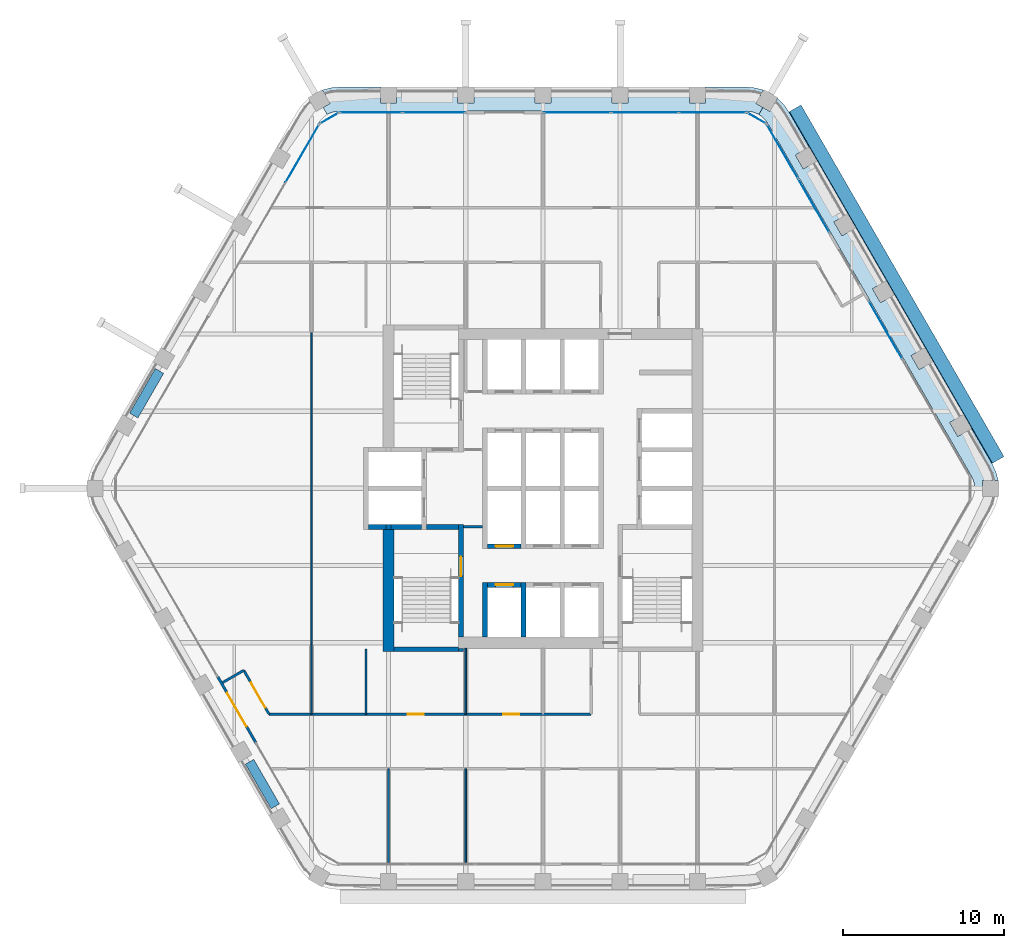
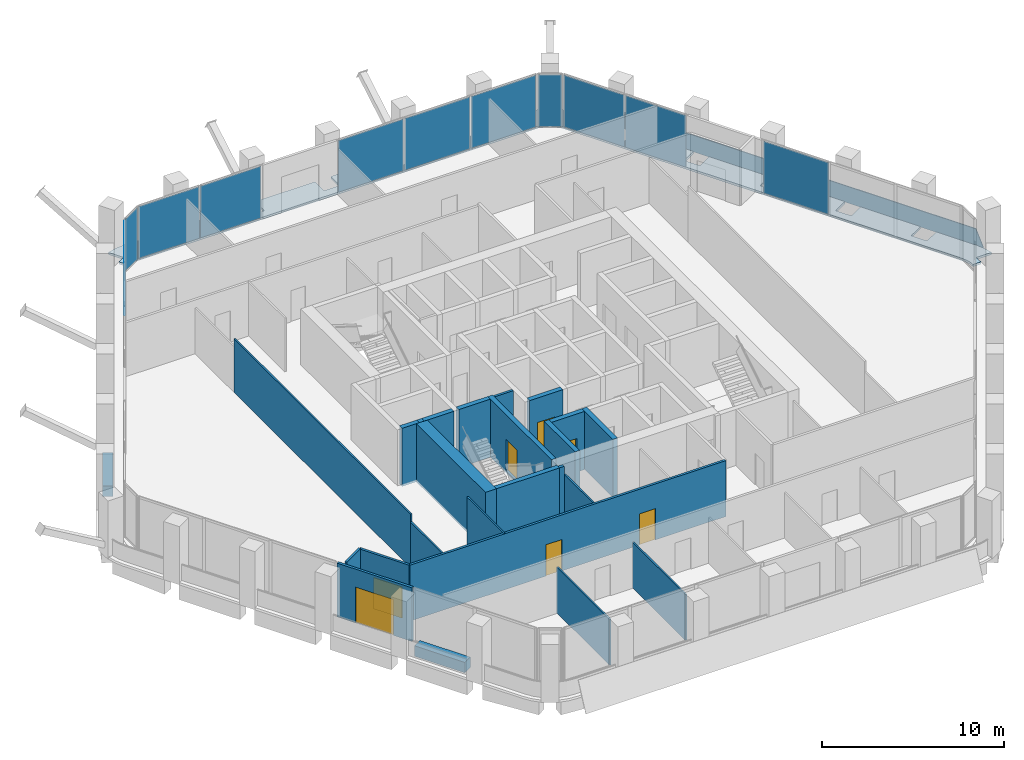
# One storey, part 9 of 16: 25 walls, 12 plates, 7 doors, 2 slabs, 7 openings, 7 elements without a shape of their own.
"""IFC4 building model written with IfcOpenShell, lengths in metres."""

from ifc_helpers import new_model, si_unit, direction, frame, frame_2d, origin, origin_2d, place, context, subcontext, project, spatial, polyline, rectangle, outline, extrude, material, layer, layer_set, type_object, element, fill, aggregate, save


model = new_model("IFC4")

# Units and contexts
model_context = context("Model", 3, precision=1e-05, world=origin(), true_north=direction((0.0, 1.0)))
body_context = subcontext(model_context, "Body", "Model", "MODEL_VIEW")
ifc_project = project(units=[si_unit("LENGTHUNIT", "METRE"), si_unit("AREAUNIT", "SQUARE_METRE"), si_unit("VOLUMEUNIT", "CUBIC_METRE"), si_unit("PLANEANGLEUNIT", "RADIAN"), si_unit("MASSUNIT", "GRAM", prefix="KILO")], contexts=[model_context])

# Site, building, storey
site_placement = place(None, origin())
site = spatial("IfcSite", under=ifc_project, at=site_placement, CompositionType="ELEMENT")
building_placement = place(site_placement, origin())
building = spatial("IfcBuilding", under=site, at=building_placement, Name="Kolab Exchange Tower", CompositionType="ELEMENT")
storey_placement = place(building_placement, frame((0.0, 0.0, 146.60009765625)))
storey = spatial("IfcBuildingStorey", under=building, at=storey_placement, Name="L29", CompositionType="ELEMENT", Elevation=146.60009765625)

# Slabs
ifc_material_1 = material(Name="Concrete C35/45", Category="concrete")
ifc_layer_1 = layer(ifc_material_1, 0.14990234375)
ifc_layer_set_1 = layer_set([ifc_layer_1], Name="Concrete C35/45")
slab_type = type_object("IfcSlabType", Name="LOGGIA SLAB 150", PredefinedType="FLOOR", material=ifc_layer_set_1)
slab_1_placement = place(storey_placement, frame((0.0, 0.0, -0.150146484375)))
element("IfcSlab", 1, at=slab_1_placement, inside=storey, type_object=slab_type, Name="slab/L29/loggia/0-0", PredefinedType="FLOOR", context=body_context, shape_type="SweptSolid", body=[
    extrude(outline(polyline([(13.41796875, 23.240478515625), (13.66796875, 23.673583984375), (13.23486328125, 23.923583984375), (13.713134765625, 24.751708984375), (13.694091796875, 24.760498046875), (13.18896484375, 24.89599609375), (12.66796875, 24.941650390625), (10.10009765625, 24.941650390625), (10.10009765625, 23.941650390625), (9.10009765625, 23.941650390625), (9.10009765625, 24.941650390625), (5.300048828125, 24.941650390625), (5.300048828125, 23.941650390625), (4.300048828125, 23.941650390625), (4.300048828125, 24.941650390625), (0.5, 24.941650390625), (0.5, 23.941650390625), (-0.5, 23.941650390625), (-0.5, 24.941650390625), (-4.300048828125, 24.941650390625), (-4.300048828125, 23.941650390625), (-5.300048828125, 23.941650390625), (-5.300048828125, 24.941650390625), (-9.10009765625, 24.941650390625), (-9.10009765625, 23.941650390625), (-10.10009765625, 23.941650390625), (-10.10009765625, 24.941650390625), (-12.66796875, 24.941650390625), (-13.18896484375, 24.89599609375), (-13.694091796875, 24.760498046875), (-13.713134765625, 24.751708984375), (-13.23486328125, 23.923583984375), (-13.66796875, 23.673583984375), (-13.41796875, 23.240478515625), (-13.180908203125, 23.35107421875), (-12.928466796875, 23.418701171875), (-12.66796875, 23.441650390625), (12.66796875, 23.441650390625), (12.928466796875, 23.418701171875), (13.180908203125, 23.35107421875), (13.41796875, 23.240478515625)])), origin(), (0.0, 0.0, 1.0), 0.150146484375),
])
slab_2_placement = place(storey_placement, frame((0.0, 0.0, -0.150146484375)))
element("IfcSlab", 2, at=slab_2_placement, inside=storey, type_object=slab_type, Name="slab/L29/loggia/1-0", PredefinedType="FLOOR", context=body_context, shape_type="SweptSolid", body=[
    extrude(outline(polyline([(26.8359375, 0.0), (27.3359375, 0.0), (27.3359375, 0.5), (28.292236328125, 0.5), (28.290283203125, 0.52099609375), (28.155029296875, 1.026123046875), (27.93408203125, 1.5), (26.64990234375, 3.723876953125), (25.783935546875, 3.223876953125), (25.283935546875, 4.08984375), (26.14990234375, 4.58984375), (24.25, 7.880859375), (23.384033203125, 7.380859375), (22.884033203125, 8.246826171875), (23.75, 8.746826171875), (21.85009765625, 12.037841796875), (20.98388671875, 11.537841796875), (20.48388671875, 12.40380859375), (21.35009765625, 12.90380859375), (19.449951171875, 16.194580078125), (18.583984375, 15.694580078125), (18.083984375, 16.560791015625), (18.949951171875, 17.060791015625), (17.050048828125, 20.3515625), (16.18408203125, 19.8515625), (15.68408203125, 20.717529296875), (16.550048828125, 21.217529296875), (15.26611328125, 23.441650390625), (14.966064453125, 23.869873046875), (14.59619140625, 24.23974609375), (14.5791015625, 24.251708984375), (14.10107421875, 23.423583984375), (13.66796875, 23.673583984375), (13.41796875, 23.240478515625), (13.632080078125, 23.090576171875), (13.81689453125, 22.90576171875), (13.967041015625, 22.691650390625), (26.635009765625, 0.75), (26.745361328125, 0.512939453125), (26.81298828125, 0.260498046875), (26.8359375, 0.0)])), origin(), (0.0, 0.0, 1.0), 0.150146484375),
])

# Plate
ifc_material_2 = material(Name="Laminated glass, clear", Category="glass")
ifc_layer_2 = layer(ifc_material_2, 0.0400390625)
ifc_layer_set_2 = layer_set([ifc_layer_2], Name="Laminated glass, clear")
plate_type_1 = type_object("IfcPlateType", Name="OUTER SKIN LAMINATED GLASS SHEET 40", PredefinedType="SHEET", material=ifc_layer_set_2)
plate_1_placement = place(storey_placement, frame((16.040283203125, 23.830810546875, -0.68310546875), z_axis=(0.784879402523, 0.453150748855, 0.422633082363), x_axis=(0.49999996891, -0.866025421734, 9.26397e-07)))
element("IfcPlate", 3, at=plate_1_placement, inside=storey, type_object=plate_type_1, Name="Outer skin", PredefinedType="SHEET", context=body_context, shape_type="SweptSolid", body=[
    extrude(outline(polyline([(0.0, 0.0), (25.235928246078725, 0.0), (25.235843279343584, -1.9610710072384856), (0.00012646525258926716, -1.9611225980101972), (0.0, 0.0)])), origin(), (0.0, 0.0, -1.0), 0.0400390625),
])

# Curtain wall, plates
ifc_material_3 = material(Name="Aluminium EN AW-6063 T6", Category="aluminium")
curtain_wall_type = type_object("IfcCurtainWallType", Name="UNITISED UPPER MID ZONE CURTAIN WALL", PredefinedType="NOTDEFINED", material=ifc_material_3)
curtain_wall_1_placement = place(storey_placement, origin())
curtain_wall_1 = element("IfcCurtainWall", 4, at=curtain_wall_1_placement, inside=storey, type_object=curtain_wall_type, Name="cw/L29/F1-1", PredefinedType="NOTDEFINED")
ifc_material_4 = material(Name="Clear insulated glazing unit", Category="glass")
ifc_layer_3 = layer(ifc_material_4, 0.028076171875)
ifc_layer_set_3 = layer_set([ifc_layer_3], Name="Clear insulated glazing unit")
plate_type_2 = type_object("IfcPlateType", Name="UNITISED UPPER MID ZONE GLASS PANEL 28", PredefinedType="CURTAIN_PANEL", material=ifc_layer_set_3)
plate_2_placement = place(storey_placement, frame((-10.68603515625, 23.361572265625, 0.059814453125), z_axis=(0.0, 0.0, 1.0), x_axis=(1.0, 0.0, 0.0)))
plate_2 = element("IfcPlate", 5, at=plate_2_placement, type_object=plate_type_2, Name="CW3 panel 1.1", PredefinedType="CURTAIN_PANEL", context=body_context, shape_type="SweptSolid", body=[
    extrude(rectangle(XDim=3.843994140625, YDim=0.028076171875, at=origin_2d()), origin(), (0.0, 0.0, 1.0), 3.47998046875),
])
plate_3_placement = place(storey_placement, frame((-6.781982421875, 23.361572265625, 0.059814453125), z_axis=(0.0, 0.0, 1.0), x_axis=(1.0, 0.0, 0.0)))
plate_3 = element("IfcPlate", 6, at=plate_3_placement, type_object=plate_type_2, Name="CW3 panel 2.1", PredefinedType="CURTAIN_PANEL", context=body_context, shape_type="SweptSolid", body=[
    extrude(rectangle(XDim=3.843994140625, YDim=0.028076171875, at=origin_2d()), origin(), (0.0, 0.0, 1.0), 3.47998046875),
])
aggregate(curtain_wall_1, [plate_2, plate_3])

curtain_wall_2_placement = place(storey_placement, origin())
curtain_wall_2 = element("IfcCurtainWall", 7, at=curtain_wall_2_placement, inside=storey, type_object=curtain_wall_type, Name="cw/L29/F1-2", PredefinedType="NOTDEFINED")
plate_4_placement = place(storey_placement, frame((2.126220703125, 23.361572265625, 0.059814453125), z_axis=(0.0, 0.0, 1.0), x_axis=(1.0, 0.0, 0.0)))
plate_4 = element("IfcPlate", 8, at=plate_4_placement, type_object=plate_type_2, Name="CW3 panel 1.1", PredefinedType="CURTAIN_PANEL", context=body_context, shape_type="SweptSolid", body=[
    extrude(rectangle(XDim=4.132568359375, YDim=0.028076171875, at=origin_2d()), origin(), (0.0, 0.0, 1.0), 3.47998046875),
])
plate_5_placement = place(storey_placement, frame((6.333984375, 23.361572265625, 0.059814453125), z_axis=(0.0, 0.0, 1.0), x_axis=(1.0, 0.0, 0.0)))
plate_5 = element("IfcPlate", 9, at=plate_5_placement, type_object=plate_type_2, Name="CW3 panel 2.1", PredefinedType="CURTAIN_PANEL", context=body_context, shape_type="SweptSolid", body=[
    extrude(rectangle(XDim=4.16259765625, YDim=0.028076171875, at=origin_2d()), origin(), (0.0, 0.0, 1.0), 3.47998046875),
])
plate_6_placement = place(storey_placement, frame((10.54150390625, 23.361572265625, 0.059814453125), z_axis=(0.0, 0.0, 1.0), x_axis=(1.0, 0.0, 0.0)))
plate_6 = element("IfcPlate", 10, at=plate_6_placement, type_object=plate_type_2, Name="CW3 panel 3.1", PredefinedType="CURTAIN_PANEL", context=body_context, shape_type="SweptSolid", body=[
    extrude(rectangle(XDim=4.132568359375, YDim=0.028076171875, at=origin_2d()), origin(), (0.0, 0.0, 1.0), 3.47998046875),
])
aggregate(curtain_wall_2, [plate_4, plate_5, plate_6])

curtain_wall_3_placement = place(storey_placement, origin())
curtain_wall_3 = element("IfcCurtainWall", 11, at=curtain_wall_3_placement, inside=storey, type_object=curtain_wall_type, Name="cw/L29/F2-1", PredefinedType="NOTDEFINED")
plate_7_placement = place(storey_placement, frame((14.888671875, 20.93505859375, 0.059814453125), z_axis=(0.0, 0.0, 1.0), x_axis=(0.500000031681, -0.866025385493, 0.0)))
plate_7 = element("IfcPlate", 12, at=plate_7_placement, type_object=plate_type_2, Name="CW3 panel 1.1", PredefinedType="CURTAIN_PANEL", context=body_context, shape_type="SweptSolid", body=[
    extrude(rectangle(XDim=3.843994140625, YDim=0.028076171875, at=origin_2d()), origin(), (0.0, 0.0, 1.0), 3.47998046875),
])
plate_8_placement = place(storey_placement, frame((16.840576171875, 17.55419921875, 0.059814453125), z_axis=(0.0, 0.0, 1.0), x_axis=(0.500000031681, -0.866025385493, 0.0)))
plate_8 = element("IfcPlate", 13, at=plate_8_placement, type_object=plate_type_2, Name="CW3 panel 2.1", PredefinedType="CURTAIN_PANEL", context=body_context, shape_type="SweptSolid", body=[
    extrude(rectangle(XDim=3.843994140625, YDim=0.028076171875, at=origin_2d()), origin(), (0.0, 0.0, 1.0), 3.47998046875),
])
aggregate(curtain_wall_3, [plate_7, plate_8])

# Curtain wall, plate
curtain_wall_4_placement = place(storey_placement, origin())
curtain_wall_4 = element("IfcCurtainWall", 14, at=curtain_wall_4_placement, inside=storey, type_object=curtain_wall_type, Name="cw/L29/F2-2", PredefinedType="NOTDEFINED")
plate_9_placement = place(storey_placement, frame((21.294921875, 9.83935546875, 0.059814453125), z_axis=(0.0, 0.0, 1.0), x_axis=(0.499999958358, -0.866025427826, 0.0)))
plate_9 = element("IfcPlate", 15, at=plate_9_placement, type_object=plate_type_2, Name="CW3 panel 1.1", PredefinedType="CURTAIN_PANEL", context=body_context, shape_type="SweptSolid", body=[
    extrude(rectangle(XDim=4.132568359375, YDim=0.028076171875, at=origin_2d()), origin(), (0.0, 0.0, 1.0), 3.47998046875),
])
aggregate(curtain_wall_4, [plate_9])

curtain_wall_5_placement = place(storey_placement, origin())
curtain_wall_5 = element("IfcCurtainWall", 16, at=curtain_wall_5_placement, inside=storey, type_object=curtain_wall_type, Name="cw/L29/F6-2", PredefinedType="NOTDEFINED")
plate_10_placement = place(storey_placement, frame((-14.9609375, 20.81005859375, 0.059814453125), z_axis=(0.0, 0.0, 1.0), x_axis=(0.500000017564, 0.866025393644, 0.0)))
plate_10 = element("IfcPlate", 17, at=plate_10_placement, type_object=plate_type_2, Name="CW3 panel 3.1", PredefinedType="CURTAIN_PANEL", context=body_context, shape_type="SweptSolid", body=[
    extrude(rectangle(XDim=4.132568359375, YDim=0.028076171875, at=origin_2d()), origin(), (0.0, 0.0, 1.0), 3.47998046875),
])
aggregate(curtain_wall_5, [plate_10])

curtain_wall_6_placement = place(storey_placement, origin())
curtain_wall_6 = element("IfcCurtainWall", 18, at=curtain_wall_6_placement, inside=storey, type_object=curtain_wall_type, Name="cw/L29/F1F2-corner", PredefinedType="NOTDEFINED")
plate_11_placement = place(storey_placement, frame((13.28271484375, 23.006591796875, 0.059814453125), z_axis=(0.0, 0.0, 1.0), x_axis=(0.866025390869, -0.50000002237, 0.0)))
plate_11 = element("IfcPlate", 19, at=plate_11_placement, type_object=plate_type_2, Name="CW3 panel 1.1", PredefinedType="CURTAIN_PANEL", context=body_context, shape_type="SweptSolid", body=[
    extrude(rectangle(XDim=1.300048828125, YDim=0.028076171875, at=origin_2d()), origin(), (0.0, 0.0, 1.0), 3.47998046875),
])
aggregate(curtain_wall_6, [plate_11])

curtain_wall_7_placement = place(storey_placement, origin())
curtain_wall_7 = element("IfcCurtainWall", 20, at=curtain_wall_7_placement, inside=storey, type_object=curtain_wall_type, Name="cw/L29/F6F1-corner", PredefinedType="NOTDEFINED")
plate_12_placement = place(storey_placement, frame((-13.28271484375, 23.006591796875, 0.059814453125), z_axis=(0.0, 0.0, 1.0), x_axis=(0.866025390869, 0.50000002237, 0.0)))
plate_12 = element("IfcPlate", 21, at=plate_12_placement, type_object=plate_type_2, Name="CW3 panel 1.1", PredefinedType="CURTAIN_PANEL", context=body_context, shape_type="SweptSolid", body=[
    extrude(rectangle(XDim=1.300048828125, YDim=0.028076171875, at=origin_2d()), origin(), (0.0, 0.0, 1.0), 3.47998046875),
])
aggregate(curtain_wall_7, [plate_12])

# Wall
ifc_material_5 = material(Name="Concrete C60/75", Category="concrete")
ifc_layer_4 = layer(ifc_material_5, 0.699951171875)
ifc_layer_set_4 = layer_set([ifc_layer_4], Name="Concrete C60/75")
wall_type_1 = type_object("IfcWallType", Name="CORE WALL 700 C60/75", PredefinedType="SHEAR", material=ifc_layer_set_4)
wall_1_placement = place(storey_placement, frame((-9.60009765625, -10.14990234375, -0.150146484375), z_axis=(0.0, 0.0, 1.0), x_axis=(0.0, 1.0, 0.0)))
element("IfcWall", 22, at=wall_1_placement, inside=storey, type_object=wall_type_1, Name="wall/L29/core/034", PredefinedType="SHEAR", context=body_context, shape_type="SweptSolid", body=[
    extrude(rectangle(XDim=7.599853515625, YDim=0.699951171875, at=frame_2d((3.7998046875, 0.0))), origin(), (0.0, 0.0, 1.0), 3.900146484375),
])

# Wall, opening, door
ifc_layer_5 = layer(ifc_material_3, 0.159912109375)
ifc_layer_set_5 = layer_set([ifc_layer_5], Name="Aluminium EN AW-6063 T6")
wall_type_2 = type_object("IfcWallType", Name="DOOR SURROUND WALL 160 ALUMINIUM FRAMED", PredefinedType="PARTITIONING", material=ifc_layer_set_5)
wall_2_placement = place(storey_placement, frame((-17.8466796875, -15.811767578125, 0.0), z_axis=(0.0, 0.0, 1.0), x_axis=(-0.5000167099, 0.866015756104, 0.0)))
wall_2 = element("IfcWall", 23, at=wall_2_placement, inside=storey, type_object=wall_type_2, Name="Door surround wall", PredefinedType="PARTITIONING", context=body_context, shape_type="SweptSolid", body=[
    extrude(rectangle(XDim=4.739990234375, YDim=0.159912109375, at=frame_2d((2.3701171875, 0.0))), origin(), (0.0, 0.0, 1.0), 3.599853515625),
])
opening_1_placement = place(wall_2_placement, frame((1.169921875, 0.0, 0.0)))
opening_1 = element("IfcOpeningElement", 24, at=opening_1_placement, cuts=wall_2, Name="Opening GD1-074", PredefinedType="OPENING", context=body_context, shape_type="SweptSolid", body=[
    extrude(rectangle(XDim=2.39990234375, YDim=2.39990234375, at=frame_2d((1.199951171875, 1.199951171875))), frame((0.0, 0.08984375, 0.0), z_axis=(0.0, -1.0, 0.0), x_axis=(1.0, 0.0, 0.0)), (0.0, 0.0, 1.0), 0.179931640625),
])
door_type_1 = type_object("IfcDoorType", Name="LOGGIA SLIDING GLASS DOOR 2400 X 2400", OperationType="DOUBLE_DOOR_SINGLE_SWING", PredefinedType="DOOR", material=ifc_material_3)
door_1_placement = place(opening_1_placement, origin())
door_1 = element("IfcDoor", 25, at=door_1_placement, inside=storey, type_object=door_type_1, Name="Loggia door", OperationType="DOUBLE_DOOR_SLIDING", OverallHeight=2.39990234375, OverallWidth=2.39990234375, PredefinedType="DOOR", context=body_context, shape_type="SweptSolid", body=[
    extrude(rectangle(XDim=2.39990234375, YDim=2.39990234375, at=frame_2d((1.199951171875, 1.199951171875))), frame((0.0, 0.02490234375, 0.0), z_axis=(0.0, -1.0, 0.0), x_axis=(1.0, 0.0, 0.0)), (0.0, 0.0, 1.0), 0.050048828125),
])
fill(opening_1, door_1)

ifc_material_6 = material(Name="Concrete C50/60", Category="concrete")
ifc_layer_6 = layer(ifc_material_6, 0.300048828125)
ifc_layer_set_6 = layer_set([ifc_layer_6], Name="Concrete C50/60")
wall_type_3 = type_object("IfcWallType", Name="LIFT SHAFT WALL 300 C50/60", PredefinedType="STANDARD", material=ifc_layer_set_6)
wall_3_placement = place(storey_placement, frame((-3.449951171875, -6.0, -0.150146484375), z_axis=(0.0, 0.0, 1.0), x_axis=(1.0, 0.0, 0.0)))
wall_3 = element("IfcWall", 26, at=wall_3_placement, inside=storey, type_object=wall_type_3, Name="wall/L29/core/003", PredefinedType="STANDARD", context=body_context, shape_type="SweptSolid", body=[
    extrude(rectangle(XDim=2.099853515625, YDim=0.300048828125, at=frame_2d((1.0498046875, 0.0))), origin(), (0.0, 0.0, 1.0), 3.900146484375),
])
opening_2_placement = place(wall_3_placement, frame((0.5, 0.0, 0.14990234375)))
opening_2 = element("IfcOpeningElement", 27, at=opening_2_placement, cuts=wall_3, Name="Opening LD1-110", PredefinedType="OPENING", context=body_context, shape_type="SweptSolid", body=[
    extrude(rectangle(XDim=1.10009765625, YDim=2.10009765625, at=frame_2d((0.550048828125, 1.050048828125))), frame((0.0, 0.16015625, 0.0), z_axis=(0.0, -1.0, 0.0), x_axis=(1.0, 0.0, 0.0)), (0.0, 0.0, 1.0), 0.320068359375),
])
ifc_material_7 = material(Name="Stainless steel 316", Category="steel")
door_type_2 = type_object("IfcDoorType", Name="LANDING DOOR 1100 PASSENGER", OperationType="DOUBLE_DOOR_SLIDING", PredefinedType="DOOR", material=ifc_material_7)
door_2_placement = place(opening_2_placement, origin())
door_2 = element("IfcDoor", 28, at=door_2_placement, inside=storey, type_object=door_type_2, Name="Landing door HR10", OperationType="DOUBLE_DOOR_SLIDING", OverallHeight=2.10009765625, OverallWidth=1.10009765625, PredefinedType="DOOR", context=body_context, shape_type="SweptSolid", body=[
    extrude(rectangle(XDim=1.10009765625, YDim=2.10009765625, at=frame_2d((0.550048828125, 1.050048828125))), frame((0.0, 0.02490234375, 0.0), z_axis=(0.0, -1.0, 0.0), x_axis=(1.0, 0.0, 0.0)), (0.0, 0.0, 1.0), 0.050048828125),
])
fill(opening_2, door_2)

wall_4_placement = place(storey_placement, frame((-3.449951171875, -3.60009765625, -0.150146484375), z_axis=(0.0, 0.0, 1.0), x_axis=(1.0, 0.0, 0.0)))
wall_4 = element("IfcWall", 29, at=wall_4_placement, inside=storey, type_object=wall_type_3, Name="wall/L29/core/006", PredefinedType="STANDARD", context=body_context, shape_type="SweptSolid", body=[
    extrude(rectangle(XDim=2.099853515625, YDim=0.300048828125, at=frame_2d((1.0498046875, 0.0))), origin(), (0.0, 0.0, 1.0), 3.900146484375),
])
opening_3_placement = place(wall_4_placement, frame((0.5, 0.0, 0.14990234375)))
opening_3 = element("IfcOpeningElement", 30, at=opening_3_placement, cuts=wall_4, Name="Opening LD1-118", PredefinedType="OPENING", context=body_context, shape_type="SweptSolid", body=[
    extrude(rectangle(XDim=1.10009765625, YDim=2.10009765625, at=frame_2d((0.550048828125, 1.050048828125))), frame((0.0, 0.16015625, 0.0), z_axis=(0.0, -1.0, 0.0), x_axis=(1.0, 0.0, 0.0)), (0.0, 0.0, 1.0), 0.320068359375),
])
door_3_placement = place(opening_3_placement, origin())
door_3 = element("IfcDoor", 31, at=door_3_placement, inside=storey, type_object=door_type_2, Name="Landing door HR7", OperationType="DOUBLE_DOOR_SLIDING", OverallHeight=2.10009765625, OverallWidth=1.10009765625, PredefinedType="DOOR", context=body_context, shape_type="SweptSolid", body=[
    extrude(rectangle(XDim=1.10009765625, YDim=2.10009765625, at=frame_2d((0.550048828125, 1.050048828125))), frame((0.0, 0.02490234375, 0.0), z_axis=(0.0, -1.0, 0.0), x_axis=(1.0, 0.0, 0.0)), (0.0, 0.0, 1.0), 0.050048828125),
])
fill(opening_3, door_3)

# Walls
wall_5_placement = place(storey_placement, frame((-10.85009765625, -2.39990234375, -0.150146484375), z_axis=(0.0, 0.0, 1.0), x_axis=(1.0, 0.0, 0.0)))
element("IfcWall", 32, at=wall_5_placement, inside=storey, type_object=wall_type_3, Name="wall/L29/core/009", PredefinedType="STANDARD", context=body_context, shape_type="SweptSolid", body=[
    extrude(rectangle(XDim=1.10009765625, YDim=0.300048828125, at=frame_2d((0.550048828125, 0.0))), origin(), (0.0, 0.0, 1.0), 3.900146484375),
])
for number, where, z_axis, x_axis, name in (
    (33, (-3.60009765625, -9.25, -0.150146484375), (0.0, 0.0, 1.0), (0.0, 1.0, 0.0), "wall/L29/core/043"),
    (34, (-1.199951171875, -9.25, -0.150146484375), (0.0, 0.0, 1.0), (0.0, 1.0, 0.0), "wall/L29/core/046"),
):
    element("IfcWall", number, at=place(storey_placement, frame(where, z_axis=z_axis, x_axis=x_axis)), inside=storey, type_object=wall_type_3, Name=name, PredefinedType="STANDARD", context=body_context, shape_type="SweptSolid", body=[
        extrude(rectangle(XDim=3.39990234375, YDim=0.300048828125, at=frame_2d((1.699951171875, 0.0))), origin(), (0.0, 0.0, 1.0), 3.900146484375),
    ])
ifc_material_8 = material(Name="Gypsum board", Category="gypsum")
ifc_layer_7 = layer(ifc_material_8, 0.10009765625)
ifc_layer_set_7 = layer_set([ifc_layer_7], Name="Gypsum board")
wall_type_4 = type_object("IfcWallType", Name="PARTITION 100", PredefinedType="PARTITIONING", material=ifc_layer_set_7)
wall_6_placement = place(storey_placement, frame((-4.800048828125, -23.271484375, 0.0), z_axis=(0.0, 0.0, 1.0), x_axis=(0.0, 1.0, 0.0)))
element("IfcWall", 35, at=wall_6_placement, inside=storey, type_object=wall_type_4, Name="Partition 014", PredefinedType="PARTITIONING", context=body_context, shape_type="SweptSolid", body=[
    extrude(rectangle(XDim=5.830078125, YDim=0.10009765625, at=frame_2d((2.9150390625, 0.0))), origin(), (0.0, 0.0, 1.0), 3.06591796875),
])
wall_7_placement = place(storey_placement, frame((-4.800048828125, -14.04150390625, 0.0), z_axis=(0.0, 0.0, 1.0), x_axis=(0.0, 1.0, 0.0)))
element("IfcWall", 36, at=wall_7_placement, inside=storey, type_object=wall_type_4, Name="Partition 015", PredefinedType="PARTITIONING", context=body_context, shape_type="SweptSolid", body=[
    extrude(rectangle(XDim=4.091552734375, YDim=0.10009765625, at=frame_2d((2.0458984375, 0.0))), origin(), (0.0, 0.0, 1.0), 3.06591796875),
])
wall_8_placement = place(storey_placement, frame((-9.60009765625, -23.271484375, 0.0), z_axis=(0.0, 0.0, 1.0), x_axis=(0.0, 1.0, 0.0)))
element("IfcWall", 37, at=wall_8_placement, inside=storey, type_object=wall_type_4, Name="Partition 018", PredefinedType="PARTITIONING", context=body_context, shape_type="SweptSolid", body=[
    extrude(rectangle(XDim=5.830078125, YDim=0.10009765625, at=frame_2d((2.9150390625, 0.0))), origin(), (0.0, 0.0, 1.0), 3.06591796875),
])
wall_9_placement = place(storey_placement, frame((-11.0, -14.04150390625, 0.0), z_axis=(0.0, 0.0, 1.0), x_axis=(0.0, 1.0, 0.0)))
element("IfcWall", 38, at=wall_9_placement, inside=storey, type_object=wall_type_4, Name="Partition 020", PredefinedType="PARTITIONING", context=body_context, shape_type="SweptSolid", body=[
    extrude(rectangle(XDim=4.04150390625, YDim=0.10009765625, at=frame_2d((2.020751953125, 0.0))), origin(), (0.0, 0.0, 1.0), 3.75),
])
wall_10_placement = place(storey_placement, frame((-14.39990234375, -9.693603515625, 0.0), z_axis=(0.0, 0.0, 1.0), x_axis=(0.0, 1.0, 0.0)))
element("IfcWall", 39, at=wall_10_placement, inside=storey, type_object=wall_type_4, Name="Partition 022", PredefinedType="PARTITIONING", context=body_context, shape_type="SweptSolid", body=[
    extrude(rectangle(XDim=19.38720703125, YDim=0.10009765625, at=frame_2d((9.693603515625, 0.0))), origin(), (0.0, 0.0, 1.0), 3.599853515625),
])
wall_11_placement = place(storey_placement, frame((-14.39990234375, -14.04150390625, 0.0), z_axis=(0.0, 0.0, 1.0), x_axis=(0.0, 1.0, 0.0)))
element("IfcWall", 40, at=wall_11_placement, inside=storey, type_object=wall_type_4, Name="Partition 022", PredefinedType="PARTITIONING", context=body_context, shape_type="SweptSolid", body=[
    extrude(rectangle(XDim=4.347900390625, YDim=0.10009765625, at=frame_2d((2.173828125, 0.0))), origin(), (0.0, 0.0, 1.0), 3.06591796875),
])

# Wall, opening, door
ifc_layer_8 = layer(ifc_material_8, 0.14990234375)
ifc_layer_set_8 = layer_set([ifc_layer_8], Name="Gypsum board")
wall_type_5 = type_object("IfcWallType", Name="PARTITION 150 FIRE-RATED", PredefinedType="PARTITIONING", material=ifc_layer_set_8)
wall_12_placement = place(storey_placement, frame((-18.595947265625, -11.313720703125, 0.0), z_axis=(0.0, 0.0, 1.0), x_axis=(0.499957296199, -0.866050057432, 0.0)))
wall_12 = element("IfcWall", 41, at=wall_12_placement, inside=storey, type_object=wall_type_5, Name="Partition 023", PredefinedType="PARTITIONING", context=body_context, shape_type="SweptSolid", body=[
    extrude(rectangle(XDim=3.149658203125, YDim=0.14990234375, at=frame_2d((1.57470703125, 0.0))), origin(), (0.0, 0.0, 1.0), 3.75),
])
opening_4_placement = place(wall_12_placement, frame((0.88232421875, 0.0, 0.0)))
opening_4 = element("IfcOpeningElement", 42, at=opening_4_placement, cuts=wall_12, Name="Opening D2-042", PredefinedType="OPENING", context=body_context, shape_type="SweptSolid", body=[
    extrude(rectangle(XDim=1.800048828125, YDim=2.10009765625, at=frame_2d((0.89990234375, 1.050048828125))), frame((0.0, 0.0849609375, 0.0), z_axis=(0.0, -1.0, 0.0), x_axis=(1.0, 0.0, 0.0)), (0.0, 0.0, 1.0), 0.169921875),
])
ifc_material_9 = material(Name="Steel S235", Category="steel")
door_type_3 = type_object("IfcDoorType", Name="DOUBLE DOOR 1800 FD60", OperationType="DOUBLE_DOOR_SINGLE_SWING", PredefinedType="DOOR", material=ifc_material_9)
door_4_placement = place(opening_4_placement, origin())
door_4 = element("IfcDoor", 43, at=door_4_placement, inside=storey, type_object=door_type_3, Name="Door L29-050", OperationType="SINGLE_SWING_RIGHT", OverallHeight=2.10009765625, OverallWidth=1.800048828125, PredefinedType="DOOR", context=body_context, shape_type="SweptSolid", body=[
    extrude(rectangle(XDim=1.800048828125, YDim=2.10009765625, at=frame_2d((0.89990234375, 1.050048828125))), frame((0.0, 0.02490234375, 0.0), z_axis=(0.0, -1.0, 0.0), x_axis=(1.0, 0.0, 0.0)), (0.0, 0.0, 1.0), 0.050048828125),
])
fill(opening_4, door_4)

# Wall
wall_13_placement = place(storey_placement, frame((-19.912353515625, -12.07373046875, 0.0), z_axis=(0.0, 0.0, 1.0), x_axis=(0.866030456496, 0.499991248344, 0.0)))
element("IfcWall", 44, at=wall_13_placement, inside=storey, type_object=wall_type_5, Name="Partition 025", PredefinedType="PARTITIONING", context=body_context, shape_type="SweptSolid", body=[
    extrude(rectangle(XDim=1.52001953125, YDim=0.14990234375, at=frame_2d((0.760009765625, 0.0))), origin(), (0.0, 0.0, 1.0), 3.75),
])

# Wall, openings, doors
wall_14_placement = place(storey_placement, frame((-17.021240234375, -14.04150390625, 0.0), z_axis=(0.0, 0.0, 1.0), x_axis=(1.0, 0.0, 0.0)))
wall_14 = element("IfcWall", 45, at=wall_14_placement, inside=storey, type_object=wall_type_5, Name="Partition 028", PredefinedType="PARTITIONING", context=body_context, shape_type="SweptSolid", body=[
    extrude(rectangle(XDim=20.021240234375, YDim=0.14990234375, at=frame_2d((10.0107421875, 0.0))), origin(), (0.0, 0.0, 1.0), 3.75),
])
opening_5_placement = place(wall_14_placement, frame((8.62109375, 0.0, 0.0)))
opening_5 = element("IfcOpeningElement", 46, at=opening_5_placement, cuts=wall_14, Name="Opening D1-403", PredefinedType="OPENING", context=body_context, shape_type="SweptSolid", body=[
    extrude(rectangle(XDim=1.0, YDim=2.10009765625, at=frame_2d((0.5, 1.050048828125))), frame((0.0, 0.0849609375, 0.0), z_axis=(0.0, -1.0, 0.0), x_axis=(1.0, 0.0, 0.0)), (0.0, 0.0, 1.0), 0.169921875),
])
opening_6_placement = place(wall_14_placement, frame((14.55615234375, 0.0, 0.0)))
opening_6 = element("IfcOpeningElement", 47, at=opening_6_placement, cuts=wall_14, Name="Opening D1-420", PredefinedType="OPENING", context=body_context, shape_type="SweptSolid", body=[
    extrude(rectangle(XDim=1.0, YDim=2.10009765625, at=frame_2d((0.5, 1.050048828125))), frame((0.0, 0.0849609375, 0.0), z_axis=(0.0, -1.0, 0.0), x_axis=(1.0, 0.0, 0.0)), (0.0, 0.0, 1.0), 0.169921875),
])
door_type_4 = type_object("IfcDoorType", Name="FLUSH DOOR 1000 FD60", OperationType="SINGLE_SWING_LEFT", PredefinedType="DOOR", material=ifc_material_9)
door_5_placement = place(opening_5_placement, origin())
door_5 = element("IfcDoor", 48, at=door_5_placement, inside=storey, type_object=door_type_4, Name="Door L29-035", OperationType="SINGLE_SWING_LEFT", OverallHeight=2.10009765625, OverallWidth=1.0, PredefinedType="DOOR", context=body_context, shape_type="SweptSolid", body=[
    extrude(rectangle(XDim=1.0, YDim=2.10009765625, at=frame_2d((0.5, 1.050048828125))), frame((0.0, 0.02490234375, 0.0), z_axis=(0.0, -1.0, 0.0), x_axis=(1.0, 0.0, 0.0)), (0.0, 0.0, 1.0), 0.050048828125),
])
fill(opening_5, door_5)
door_6_placement = place(opening_6_placement, origin())
door_6 = element("IfcDoor", 49, at=door_6_placement, inside=storey, type_object=door_type_4, Name="Door L29-036", OperationType="SINGLE_SWING_RIGHT", OverallHeight=2.10009765625, OverallWidth=1.0, PredefinedType="DOOR", context=body_context, shape_type="SweptSolid", body=[
    extrude(rectangle(XDim=1.0, YDim=2.10009765625, at=frame_2d((0.5, 1.050048828125))), frame((0.0, 0.02490234375, 0.0), z_axis=(0.0, -1.0, 0.0), x_axis=(1.0, 0.0, 0.0)), (0.0, 0.0, 1.0), 0.050048828125),
])
fill(opening_6, door_6)

# Walls
wall_15_placement = place(storey_placement, frame((-4.949951171875, -2.39990234375, 0.0), z_axis=(0.0, 0.0, 1.0), x_axis=(1.0, 0.0, 0.0)))
element("IfcWall", 50, at=wall_15_placement, inside=storey, type_object=wall_type_5, Name="Fire partition", PredefinedType="PARTITIONING", context=body_context, shape_type="SweptSolid", body=[
    extrude(rectangle(XDim=1.199951171875, YDim=0.14990234375, at=frame_2d((0.60009765625, 0.0))), origin(), (0.0, 0.0, 1.0), 3.75),
])
ifc_material_10 = material(Name="Granite facing", Category="masonry")
ifc_layer_9 = layer(ifc_material_10, 0.0400390625)
ifc_material_11 = material(Name="Concrete C40/50 precast", Category="concrete")
ifc_layer_10 = layer(ifc_material_11, 0.56005859375)
ifc_layer_set_9 = layer_set([ifc_layer_9, ifc_layer_10], Name="Concrete C40/50 precast")
wall_type_6 = type_object("IfcWallType", Name="PLANTER BOX 600 X 700 SOIL DEPTH 550", PredefinedType="USERDEFINED", material=ifc_layer_set_9)
wall_16_placement = place(storey_placement, frame((-16.636962890625, -19.766845703125, 0.0), z_axis=(0.0, 0.0, 1.0), x_axis=(-0.500028443584, 0.866008981251, 0.0)))
element("IfcWall", 51, at=wall_16_placement, inside=storey, type_object=wall_type_6, Name="Planter", ObjectType="PLANTER", PredefinedType="USERDEFINED", context=body_context, shape_type="SweptSolid", body=[
    extrude(rectangle(XDim=3.199951171875, YDim=0.60009765625, at=frame_2d((1.60009765625, 0.0))), origin(), (0.0, 0.0, 1.0), 0.699951171875),
])
wall_17_placement = place(storey_placement, frame((-25.43701171875, 4.524658203125, 0.0), z_axis=(0.0, 0.0, 1.0), x_axis=(0.499938187974, 0.866061088033, 0.0)))
element("IfcWall", 52, at=wall_17_placement, inside=storey, type_object=wall_type_6, Name="Planter", ObjectType="PLANTER", PredefinedType="USERDEFINED", context=body_context, shape_type="SweptSolid", body=[
    extrude(rectangle(XDim=3.2001953125, YDim=0.60009765625, at=frame_2d((1.60009765625, 0.0))), origin(), (0.0, 0.0, 1.0), 0.699951171875),
])
ifc_layer_11 = layer(ifc_material_6, 0.300048828125)
ifc_layer_set_10 = layer_set([ifc_layer_11], Name="Concrete C50/60")
wall_type_7 = type_object("IfcWallType", Name="STAIR ENCLOSURE WALL 300 C50/60", PredefinedType="STANDARD", material=ifc_layer_set_10)
wall_18_placement = place(storey_placement, frame((-9.25, -10.0, -0.150146484375), z_axis=(0.0, 0.0, 1.0), x_axis=(1.0, 0.0, 0.0)))
element("IfcWall", 53, at=wall_18_placement, inside=storey, type_object=wall_type_7, Name="wall/L29/core/000", PredefinedType="STANDARD", context=body_context, shape_type="SweptSolid", body=[
    extrude(rectangle(XDim=4.0, YDim=0.300048828125, at=frame_2d((2.0, 0.0))), origin(), (0.0, 0.0, 1.0), 3.900146484375),
])
wall_19_placement = place(storey_placement, frame((-9.449951171875, -2.39990234375, -0.150146484375), z_axis=(0.0, 0.0, 1.0), x_axis=(1.0, 0.0, 0.0)))
element("IfcWall", 54, at=wall_19_placement, inside=storey, type_object=wall_type_7, Name="wall/L29/core/010", PredefinedType="STANDARD", context=body_context, shape_type="SweptSolid", body=[
    extrude(rectangle(XDim=1.89990234375, YDim=0.300048828125, at=frame_2d((0.949951171875, 0.0))), origin(), (0.0, 0.0, 1.0), 3.900146484375),
])
wall_20_placement = place(storey_placement, frame((-7.25, -2.39990234375, -0.150146484375), z_axis=(0.0, 0.0, 1.0), x_axis=(1.0, 0.0, 0.0)))
element("IfcWall", 55, at=wall_20_placement, inside=storey, type_object=wall_type_7, Name="wall/L29/core/011", PredefinedType="STANDARD", context=body_context, shape_type="SweptSolid", body=[
    extrude(rectangle(XDim=2.0, YDim=0.300048828125, at=frame_2d((1.0, 0.0))), origin(), (0.0, 0.0, 1.0), 3.900146484375),
])
wall_21_placement = place(storey_placement, frame((-9.60009765625, -2.550048828125, -0.150146484375), z_axis=(0.0, 0.0, 1.0), x_axis=(0.0, 1.0, 0.0)))
element("IfcWall", 56, at=wall_21_placement, inside=storey, type_object=wall_type_7, Name="wall/L29/core/035", PredefinedType="STANDARD", context=body_context, shape_type="SweptSolid", body=[
    extrude(rectangle(XDim=0.300048828125, YDim=0.300048828125, at=frame_2d((0.14990234375, 0.0))), origin(), (0.0, 0.0, 1.0), 3.900146484375),
])
wall_22_placement = place(storey_placement, frame((-5.10009765625, -10.14990234375, -0.150146484375), z_axis=(0.0, 0.0, 1.0), x_axis=(0.0, 1.0, 0.0)))
element("IfcWall", 57, at=wall_22_placement, inside=storey, type_object=wall_type_7, Name="wall/L29/core/039", PredefinedType="STANDARD", context=body_context, shape_type="SweptSolid", body=[
    extrude(rectangle(XDim=0.199951171875, YDim=0.300048828125, at=frame_2d((0.10009765625, 0.0))), origin(), (0.0, 0.0, 1.0), 3.900146484375),
])

# Wall, opening, door
wall_23_placement = place(storey_placement, frame((-5.10009765625, -9.25, -0.150146484375), z_axis=(0.0, 0.0, 1.0), x_axis=(0.0, 1.0, 0.0)))
wall_23 = element("IfcWall", 58, at=wall_23_placement, inside=storey, type_object=wall_type_7, Name="wall/L29/core/040", PredefinedType="STANDARD", context=body_context, shape_type="SweptSolid", body=[
    extrude(rectangle(XDim=7.0, YDim=0.300048828125, at=frame_2d((3.5, 0.0))), origin(), (0.0, 0.0, 1.0), 3.900146484375),
])
opening_7_placement = place(wall_23_placement, frame((3.800048828125, 0.0, 0.14990234375)))
opening_7 = element("IfcOpeningElement", 59, at=opening_7_placement, cuts=wall_23, Name="Opening D4-068", PredefinedType="OPENING", context=body_context, shape_type="SweptSolid", body=[
    extrude(rectangle(XDim=1.199951171875, YDim=2.10009765625, at=frame_2d((0.60009765625, 1.050048828125))), frame((0.0, 0.16015625, 0.0), z_axis=(0.0, -1.0, 0.0), x_axis=(1.0, 0.0, 0.0)), (0.0, 0.0, 1.0), 0.320068359375),
])
door_type_5 = type_object("IfcDoorType", Name="STAIR DOOR 1200 EI 120", OperationType="SINGLE_SWING_LEFT", PredefinedType="DOOR", material=ifc_material_9)
door_7_placement = place(opening_7_placement, origin())
door_7 = element("IfcDoor", 60, at=door_7_placement, inside=storey, type_object=door_type_5, Name="Stair 3 door", OperationType="SINGLE_SWING_RIGHT", OverallHeight=2.10009765625, OverallWidth=1.199951171875, PredefinedType="DOOR", context=body_context, shape_type="SweptSolid", body=[
    extrude(rectangle(XDim=1.199951171875, YDim=2.10009765625, at=frame_2d((0.60009765625, 1.050048828125))), frame((0.0, 0.02490234375, 0.0), z_axis=(0.0, -1.0, 0.0), x_axis=(1.0, 0.0, 0.0)), (0.0, 0.0, 1.0), 0.050048828125),
])
fill(opening_7, door_7)

save(model, "model.ifc")
